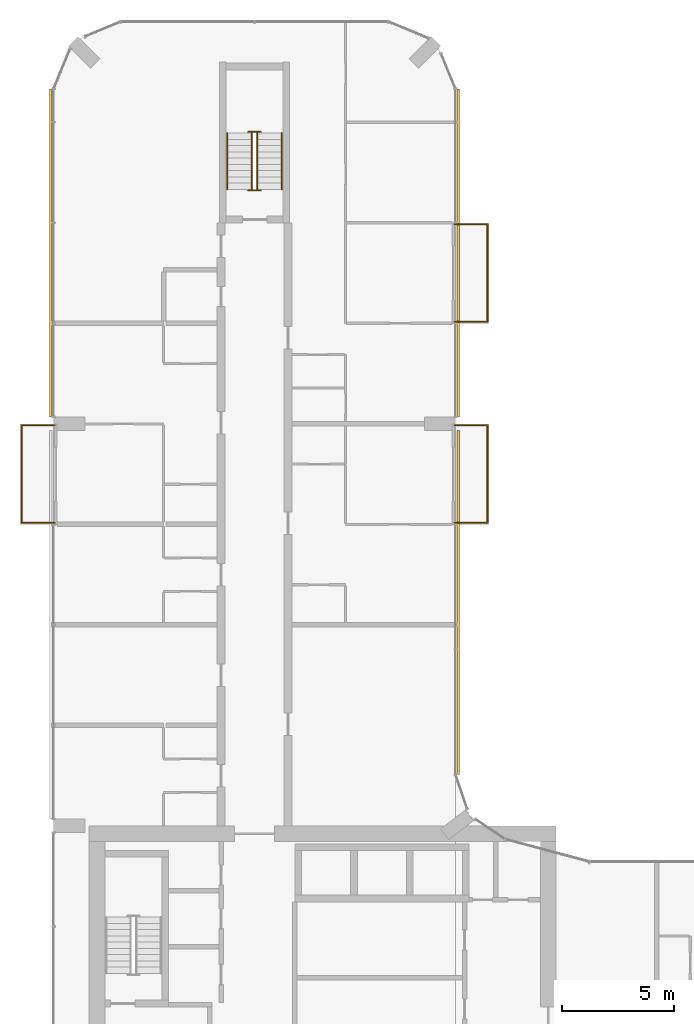
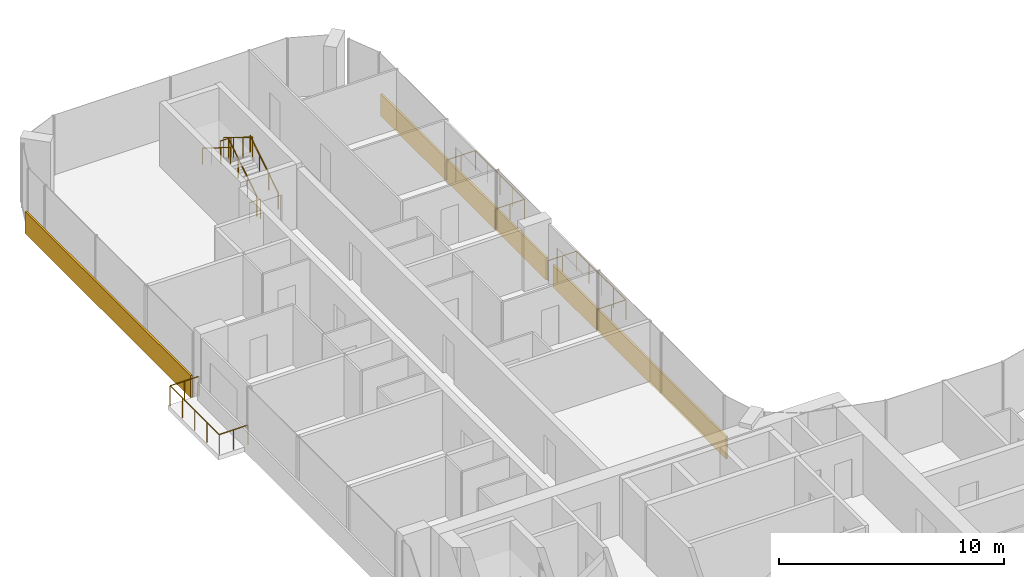
# One storey, part 21 of 22: 9 railings, 3 coverings.
"""IFC4 building model written with IfcOpenShell, lengths in metres."""

from ifc_helpers import new_model, si_unit, direction, frame, origin, origin_2d, place, context, subcontext, project, spatial, rectangle, circle, extrude, material, layer, layer_set, type_object, element, save


model = new_model("IFC4")

# Units and contexts
model_context = context("Model", 3, precision=1e-05, world=origin(), true_north=direction((0.0, 1.0)))
body_context = subcontext(model_context, "Body", "Model", "MODEL_VIEW")
ifc_project = project(units=[si_unit("LENGTHUNIT", "METRE"), si_unit("AREAUNIT", "SQUARE_METRE"), si_unit("VOLUMEUNIT", "CUBIC_METRE"), si_unit("PLANEANGLEUNIT", "RADIAN"), si_unit("MASSUNIT", "GRAM", prefix="KILO")], contexts=[model_context])

# Site, building, storey
site_placement = place(None, origin())
site = spatial("IfcSite", under=ifc_project, at=site_placement, CompositionType="ELEMENT")
building_placement = place(site_placement, origin())
building = spatial("IfcBuilding", under=site, at=building_placement, Name="Plateau Cross Towers", CompositionType="ELEMENT")
storey_placement = place(building_placement, frame((0.0, 0.0, 65.300048828125)))
storey = spatial("IfcBuildingStorey", under=building, at=storey_placement, Name="L16", CompositionType="ELEMENT", Elevation=65.300048828125)

# Railings
ifc_material_1 = material(Name="Stainless steel and toughened glass", Category="steel")
railing_type_1 = type_object("IfcRailingType", Name="Glass balustrade guard 1100", PredefinedType="GUARDRAIL", material=ifc_material_1)
railing_1_placement = place(storey_placement, frame((0.050048828125, 31.570068359375, 0.0)))
element("IfcRailing", 1, at=railing_1_placement, inside=storey, type_object=railing_type_1, Name="Guard guard1", PredefinedType="GUARDRAIL", context=body_context, shape_type="SweptSolid", body=[
    extrude(circle(Radius=0.02392578125, at=origin_2d()), frame((0.0, 0.0, 1.076171875), z_axis=(-1.0, 0.0, 0.0), x_axis=(0.0, -1.0, 0.0)), (0.0, 0.0, 1.0), 1.47998046875),
    extrude(circle(Radius=0.02392578125, at=origin_2d()), frame((-1.47998046875, 0.0, 1.076171875), z_axis=(0.0, 1.0, 0.0), x_axis=(-1.0, 0.0, 0.0)), (0.0, 0.0, 1.0), 4.35986328125),
    extrude(circle(Radius=0.02392578125, at=origin_2d()), frame((-1.47998046875, 4.35986328125, 1.076171875), z_axis=(1.0, 0.0, 0.0), x_axis=(0.0, 1.0, 0.0)), (0.0, 0.0, 1.0), 1.47998046875),
    extrude(circle(Radius=0.02099609375, at=origin_2d()), origin(), (0.0, 0.0, 1.0), 1.052001953125),
    extrude(circle(Radius=0.02099609375, at=origin_2d()), frame((-0.739990234375, 0.0, 0.0)), (0.0, 0.0, 1.0), 1.052001953125),
    extrude(circle(Radius=0.02099609375, at=origin_2d()), frame((-1.47998046875, 0.0, 0.0)), (0.0, 0.0, 1.0), 1.052001953125),
    extrude(circle(Radius=0.02099609375, at=origin_2d()), frame((-1.47998046875, 1.08984375, 0.0)), (0.0, 0.0, 1.0), 1.052001953125),
    extrude(circle(Radius=0.02099609375, at=origin_2d()), frame((-1.47998046875, 2.179931640625, 0.0)), (0.0, 0.0, 1.0), 1.052001953125),
    extrude(circle(Radius=0.02099609375, at=origin_2d()), frame((-1.47998046875, 3.27001953125, 0.0)), (0.0, 0.0, 1.0), 1.052001953125),
    extrude(circle(Radius=0.02099609375, at=origin_2d()), frame((-1.47998046875, 4.35986328125, 0.0)), (0.0, 0.0, 1.0), 1.052001953125),
    extrude(circle(Radius=0.02099609375, at=origin_2d()), frame((-0.739990234375, 4.35986328125, 0.0)), (0.0, 0.0, 1.0), 1.052001953125),
    extrude(circle(Radius=0.02099609375, at=origin_2d()), frame((0.0, 4.35986328125, 0.0)), (0.0, 0.0, 1.0), 1.052001953125),
])
for number, where, name in (
    (2, (17.949951171875, 35.929931640625, 0.0), "Guard guard1"),
    (3, (17.949951171875, 44.929931640625, 0.0), "Guard guard1"),
):
    element("IfcRailing", number, at=place(storey_placement, frame(where)), inside=storey, type_object=railing_type_1, Name=name, PredefinedType="GUARDRAIL", context=body_context, shape_type="SweptSolid", body=[
        extrude(circle(Radius=0.02392578125, at=origin_2d()), frame((0.0, 0.0, 1.076171875), z_axis=(1.0, 0.0, 0.0), x_axis=(0.0, 1.0, 0.0)), (0.0, 0.0, 1.0), 1.47998046875),
        extrude(circle(Radius=0.02392578125, at=origin_2d()), frame((1.47998046875, 0.0, 1.076171875), z_axis=(0.0, -1.0, 0.0), x_axis=(1.0, 0.0, 0.0)), (0.0, 0.0, 1.0), 4.35986328125),
        extrude(circle(Radius=0.02392578125, at=origin_2d()), frame((1.47998046875, -4.35986328125, 1.076171875), z_axis=(-1.0, 0.0, 0.0), x_axis=(0.0, -1.0, 0.0)), (0.0, 0.0, 1.0), 1.47998046875),
        extrude(circle(Radius=0.02099609375, at=origin_2d()), origin(), (0.0, 0.0, 1.0), 1.052001953125),
        extrude(circle(Radius=0.02099609375, at=origin_2d()), frame((0.739990234375, 0.0, 0.0)), (0.0, 0.0, 1.0), 1.052001953125),
        extrude(circle(Radius=0.02099609375, at=origin_2d()), frame((1.47998046875, 0.0, 0.0)), (0.0, 0.0, 1.0), 1.052001953125),
        extrude(circle(Radius=0.02099609375, at=origin_2d()), frame((1.47998046875, -1.08984375, 0.0)), (0.0, 0.0, 1.0), 1.052001953125),
        extrude(circle(Radius=0.02099609375, at=origin_2d()), frame((1.47998046875, -2.179931640625, 0.0)), (0.0, 0.0, 1.0), 1.052001953125),
        extrude(circle(Radius=0.02099609375, at=origin_2d()), frame((1.47998046875, -3.27001953125, 0.0)), (0.0, 0.0, 1.0), 1.052001953125),
        extrude(circle(Radius=0.02099609375, at=origin_2d()), frame((1.47998046875, -4.35986328125, 0.0)), (0.0, 0.0, 1.0), 1.052001953125),
        extrude(circle(Radius=0.02099609375, at=origin_2d()), frame((0.739990234375, -4.35986328125, 0.0)), (0.0, 0.0, 1.0), 1.052001953125),
        extrude(circle(Radius=0.02099609375, at=origin_2d()), frame((0.0, -4.35986328125, 0.0)), (0.0, 0.0, 1.0), 1.052001953125),
    ])
railing_type_2 = type_object("IfcRailingType", Name="RL-GUARD-1100", PredefinedType="GUARDRAIL", material=ifc_material_1)
railing_2_placement = place(storey_placement, frame((9.125, 46.5, 0.175048828125)))
element("IfcRailing", 4, at=railing_2_placement, inside=storey, type_object=railing_type_2, Name="L16 ES-N stair guard 1", PredefinedType="GUARDRAIL", context=body_context, shape_type="SweptSolid", body=[
    extrude(circle(Radius=0.02392578125, at=origin_2d()), frame((0.0, 0.0, 1.076171875), z_axis=(0.0, 0.848007534815, 0.529984170421), x_axis=(-1.0, 0.0, 0.0)), (0.0, 0.0, 1.0), 2.9716796875),
    extrude(circle(Radius=0.02099609375, at=origin_2d()), origin(), (0.0, 0.0, 1.0), 1.052001953125),
    extrude(circle(Radius=0.02099609375, at=origin_2d()), frame((0.0, 0.840087890625, 0.52490234375)), (0.0, 0.0, 1.0), 1.052001953125),
    extrude(circle(Radius=0.02099609375, at=origin_2d()), frame((0.0, 1.679931640625, 1.050048828125)), (0.0, 0.0, 1.0), 1.052001953125),
    extrude(circle(Radius=0.02099609375, at=origin_2d()), frame((0.0, 2.52001953125, 1.574951171875)), (0.0, 0.0, 1.0), 1.052001953125),
])
railing_3_placement = place(storey_placement, frame((9.27490234375, 49.070068359375, 1.75)))
element("IfcRailing", 5, at=railing_3_placement, inside=storey, type_object=railing_type_2, Name="L16 ES-N stair guard 2", PredefinedType="GUARDRAIL", context=body_context, shape_type="SweptSolid", body=[
    extrude(circle(Radius=0.02392578125, at=origin_2d()), frame((0.0, 0.0, 1.076171875), z_axis=(-1.0, 0.0, 0.0), x_axis=(0.0, -1.0, 0.0)), (0.0, 0.0, 1.0), 0.5498046875),
    extrude(circle(Radius=0.02099609375, at=origin_2d()), origin(), (0.0, 0.0, 1.0), 1.052001953125),
    extrude(circle(Radius=0.02099609375, at=origin_2d()), frame((-0.5498046875, 0.0, 0.0)), (0.0, 0.0, 1.0), 1.052001953125),
])
railing_4_placement = place(storey_placement, frame((8.875, 49.02001953125, 1.925048828125)))
element("IfcRailing", 6, at=railing_4_placement, inside=storey, type_object=railing_type_2, Name="L16 ES-N stair guard 3", PredefinedType="GUARDRAIL", context=body_context, shape_type="SweptSolid", body=[
    extrude(circle(Radius=0.02392578125, at=origin_2d()), frame((0.0, 0.0, 1.076171875), z_axis=(0.0, -0.852638500773, 0.522501279423), x_axis=(1.0, 0.0, 0.0)), (0.0, 0.0, 1.0), 3.01416015625),
    extrude(circle(Radius=0.02099609375, at=origin_2d()), origin(), (0.0, 0.0, 1.0), 1.052001953125),
    extrude(circle(Radius=0.02099609375, at=origin_2d()), frame((0.0, -0.856689453125, 0.52490234375)), (0.0, 0.0, 1.0), 1.052001953125),
    extrude(circle(Radius=0.02099609375, at=origin_2d()), frame((0.0, -1.71337890625, 1.050048828125)), (0.0, 0.0, 1.0), 1.052001953125),
    extrude(circle(Radius=0.02099609375, at=origin_2d()), frame((0.0, -2.570068359375, 1.574951171875)), (0.0, 0.0, 1.0), 1.052001953125),
])
railing_5_placement = place(storey_placement, frame((9.27490234375, 46.449951171875, 0.0)))
element("IfcRailing", 7, at=railing_5_placement, inside=storey, type_object=railing_type_2, Name="L16 ES-N stair guard 4", PredefinedType="GUARDRAIL", context=body_context, shape_type="SweptSolid", body=[
    extrude(circle(Radius=0.02392578125, at=origin_2d()), frame((0.0, 0.0, 1.076171875), z_axis=(-1.0, 0.0, 0.0), x_axis=(0.0, -1.0, 0.0)), (0.0, 0.0, 1.0), 0.5498046875),
    extrude(circle(Radius=0.02099609375, at=origin_2d()), origin(), (0.0, 0.0, 1.0), 1.052001953125),
    extrude(circle(Radius=0.02099609375, at=origin_2d()), frame((-0.5498046875, 0.0, 0.0)), (0.0, 0.0, 1.0), 1.052001953125),
])
ifc_material_2 = material(Name="Black anodised aluminium", Category="aluminium")
railing_type_3 = type_object("IfcRailingType", Name="RL-HANDRAIL-900", PredefinedType="HANDRAIL", material=ifc_material_2)
railing_6_placement = place(storey_placement, frame((10.22509765625, 46.5, 0.175048828125)))
element("IfcRailing", 8, at=railing_6_placement, inside=storey, type_object=railing_type_3, Name="L16 ES-N stair handrail 1", PredefinedType="HANDRAIL", context=body_context, shape_type="SweptSolid", body=[
    extrude(circle(Radius=0.02392578125, at=origin_2d()), frame((0.0, 0.0, 0.8759765625), z_axis=(0.0, 0.848007534815, 0.529984170421), x_axis=(-1.0, 0.0, 0.0)), (0.0, 0.0, 1.0), 2.9716796875),
    extrude(circle(Radius=0.02099609375, at=origin_2d()), origin(), (0.0, 0.0, 1.0), 0.851806640625),
    extrude(circle(Radius=0.02099609375, at=origin_2d()), frame((0.0, 0.840087890625, 0.52490234375)), (0.0, 0.0, 1.0), 0.851806640625),
    extrude(circle(Radius=0.02099609375, at=origin_2d()), frame((0.0, 1.679931640625, 1.050048828125)), (0.0, 0.0, 1.0), 0.851806640625),
    extrude(circle(Radius=0.02099609375, at=origin_2d()), frame((0.0, 2.52001953125, 1.574951171875)), (0.0, 0.0, 1.0), 0.851806640625),
])
railing_7_placement = place(storey_placement, frame((7.77490234375, 49.02001953125, 1.925048828125)))
element("IfcRailing", 9, at=railing_7_placement, inside=storey, type_object=railing_type_3, Name="L16 ES-N stair handrail 2", PredefinedType="HANDRAIL", context=body_context, shape_type="SweptSolid", body=[
    extrude(circle(Radius=0.02392578125, at=origin_2d()), frame((0.0, 0.0, 0.8759765625), z_axis=(0.0, -0.848007534815, 0.529984170421), x_axis=(1.0, 0.0, 0.0)), (0.0, 0.0, 1.0), 2.9716796875),
    extrude(circle(Radius=0.02099609375, at=origin_2d()), origin(), (0.0, 0.0, 1.0), 0.851806640625),
    extrude(circle(Radius=0.02099609375, at=origin_2d()), frame((0.0, -0.840087890625, 0.52490234375)), (0.0, 0.0, 1.0), 0.851806640625),
    extrude(circle(Radius=0.02099609375, at=origin_2d()), frame((0.0, -1.679931640625, 1.050048828125)), (0.0, 0.0, 1.0), 0.851806640625),
    extrude(circle(Radius=0.02099609375, at=origin_2d()), frame((0.0, -2.52001953125, 1.574951171875)), (0.0, 0.0, 1.0), 0.851806640625),
])

# Coverings
ifc_material_3 = material(Name="Precast concrete cladding C40/50", Category="concrete")
ifc_layer = layer(ifc_material_3, 0.10009765625)
ifc_layer_set = layer_set([ifc_layer], Name="Precast concrete cladding C40/50")
covering_type = type_object("IfcCoveringType", Name="Spandrel band cladding 100x1200", PredefinedType="CLADDING", material=ifc_layer_set)
covering_placement = place(storey_placement, frame((18.1201171875, 28.001220703125, -0.25), z_axis=(0.0, 0.0, 1.0), x_axis=(0.0, 1.0, 0.0)))
element("IfcCovering", 10, at=covering_placement, inside=storey, type_object=covering_type, Name="Spandrel band", PredefinedType="CLADDING", context=body_context, shape_type="SweptSolid", body=[
    extrude(rectangle(XDim=15.397705078125, YDim=0.10009765625, at=origin_2d()), origin(), (0.0, 0.0, 1.0), 1.199951171875),
])
for number, where, z_axis, x_axis, name in (
    (11, (18.1201171875, 43.64990234375, -0.25), (0.0, 0.0, 1.0), (0.0, 1.0, 0.0), "Spandrel band"),
    (12, (-0.1201171875, 43.64990234375, -0.25), (0.0, 0.0, 1.0), (0.0, -1.0, 0.0), "Spandrel band"),
):
    element("IfcCovering", number, at=place(storey_placement, frame(where, z_axis=z_axis, x_axis=x_axis)), inside=storey, type_object=covering_type, Name=name, PredefinedType="CLADDING", context=body_context, shape_type="SweptSolid", body=[
        extrude(rectangle(XDim=14.699951171875, YDim=0.10009765625, at=origin_2d()), origin(), (0.0, 0.0, 1.0), 1.199951171875),
    ])

save(model, "model.ifc")
